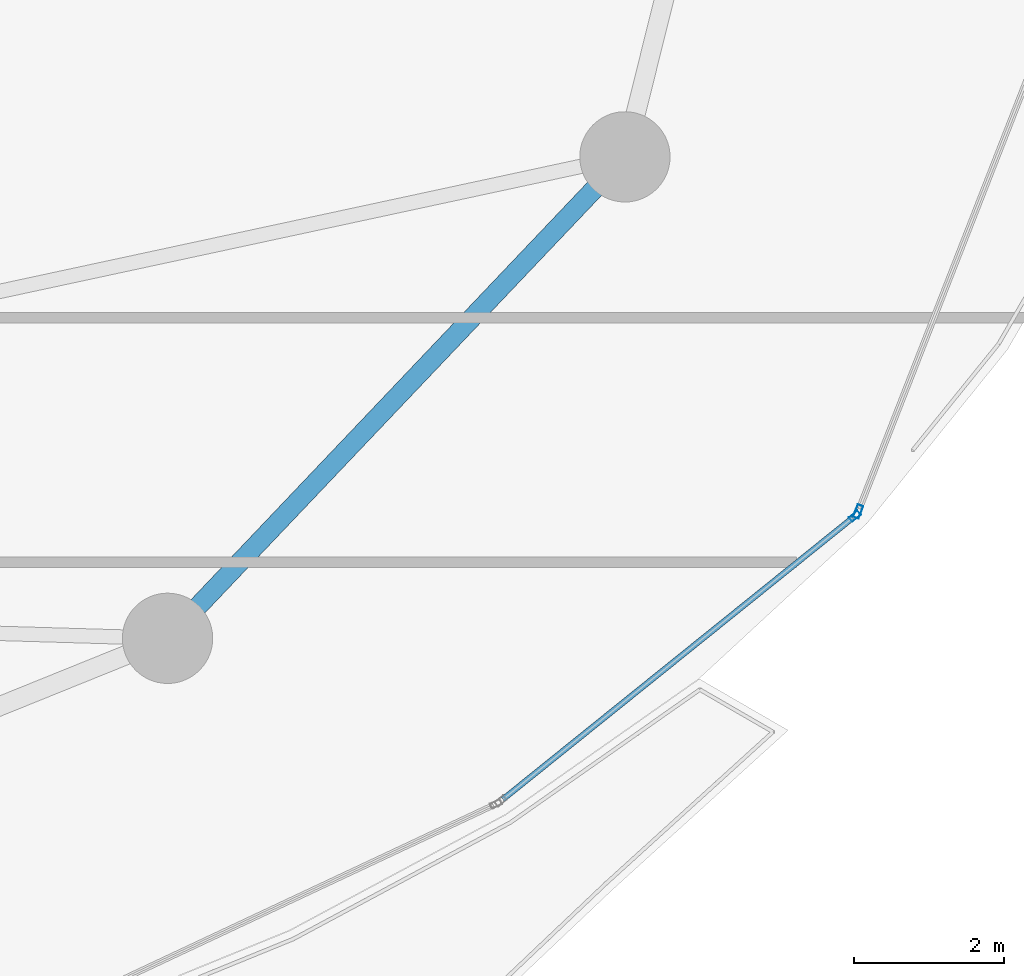
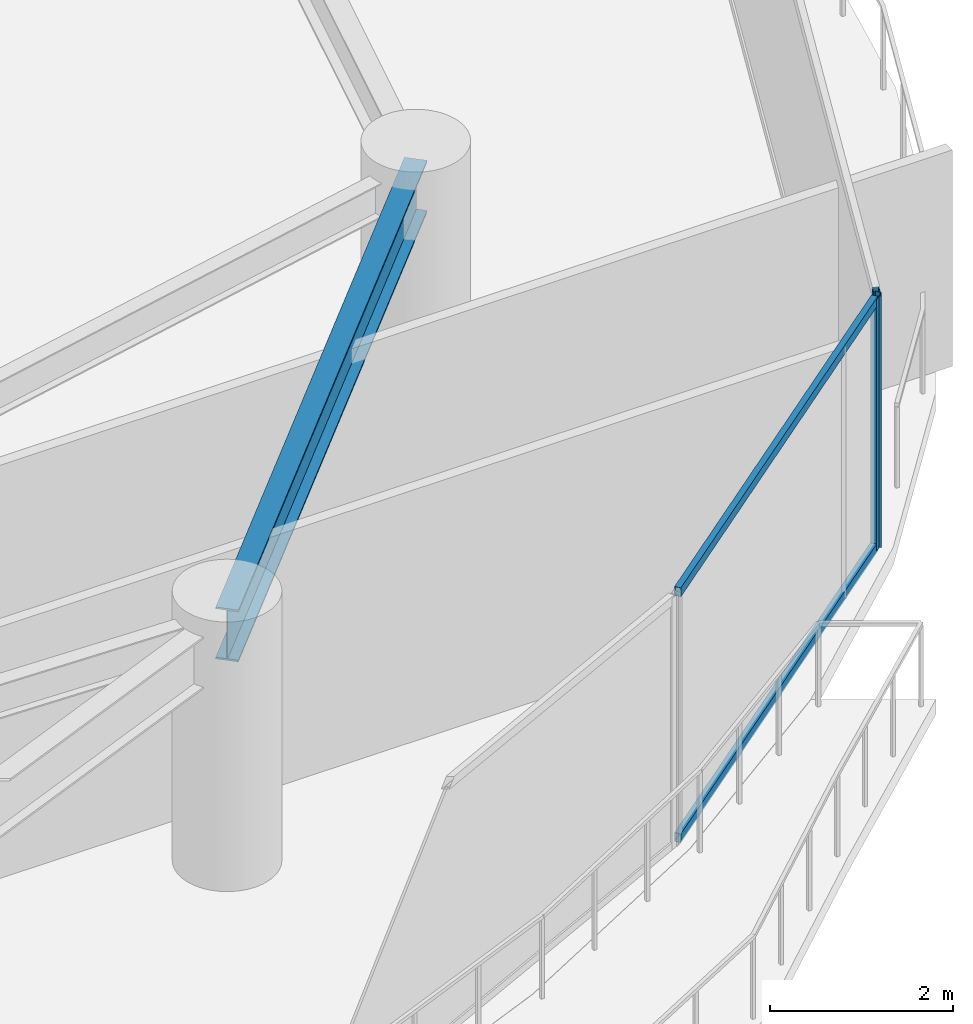
# One storey, part 15 of 34: 4 members, 1 beam, 2 elements without a shape of their own.
"""IFC4 building model written with IfcOpenShell, lengths in metres."""

from ifc_helpers import new_model, si_unit, direction, frame, origin, origin_2d, place, context, subcontext, project, spatial, hollow_rectangle, i_section, extrude, material, layer, layer_set, material_profile, profile_set, type_object, element, aggregate, save


model = new_model("IFC4")

# Units and contexts
model_context = context("Model", 3, precision=1e-05, world=origin(), true_north=direction((0.0, 1.0)))
body_context = subcontext(model_context, "Body", "Model", "MODEL_VIEW")
ifc_project = project(units=[si_unit("LENGTHUNIT", "METRE"), si_unit("AREAUNIT", "SQUARE_METRE"), si_unit("VOLUMEUNIT", "CUBIC_METRE"), si_unit("PLANEANGLEUNIT", "RADIAN"), si_unit("MASSUNIT", "GRAM", prefix="KILO")], contexts=[model_context])

# Site, building, storey
site_placement = place(None, origin())
site = spatial("IfcSite", under=ifc_project, at=site_placement, CompositionType="ELEMENT")
building_placement = place(site_placement, origin())
building = spatial("IfcBuilding", under=site, at=building_placement, Name="Kazevale Care Tower and Concert Hall", CompositionType="ELEMENT")
storey_placement = place(building_placement, frame((0.0, 0.0, 156.60009765625)))
storey = spatial("IfcBuildingStorey", under=building, at=storey_placement, Name="L41", CompositionType="ELEMENT", Elevation=156.60009765625)

# Curtain wall, member
ifc_material_1 = material(Name="Aluminium 6063-T6 and Low-E Glass", Category="aluminium")
ifc_layer_1 = layer(ifc_material_1, 0.179931640625)
ifc_layer_set_1 = layer_set([ifc_layer_1], Name="Aluminium 6063-T6 and Low-E Glass")
curtain_wall_type_1 = type_object("IfcCurtainWallType", Name="Waist & Upper Residential Curtain Wall CW-4", PredefinedType="NOTDEFINED", material=ifc_layer_set_1)
curtain_wall_1_placement = place(storey_placement, origin())
curtain_wall_1 = element("IfcCurtainWall", 1, at=curtain_wall_1_placement, inside=storey, type_object=curtain_wall_type_1, Name="cw:L41:f01", PredefinedType="NOTDEFINED")
ifc_material_2 = material(Name="Aluminium 6063-T6", Category="aluminium")
ifc_material_profile_1 = material_profile(ifc_material_2, hollow_rectangle(XDim=0.080078125, YDim=0.179931640625, WallThickness=0.0048828125, at=origin_2d()), Name="ALU80x180x5")
ifc_profile_set_1 = profile_set([ifc_material_profile_1], Name="Aluminium 6063-T6")
member_type_1 = type_object("IfcMemberType", Name="CW-4 Mullion ALU80x180x5", PredefinedType="MULLION", material=ifc_profile_set_1)
member_1_placement = place(storey_placement, frame((74.010498046875, 24.67529296875, 0.0), z_axis=(0.0, 0.0, 1.0), x_axis=(0.931351746651, -0.36412075471, 0.0)))
member_1 = element("IfcMember", 2, at=member_1_placement, type_object=member_type_1, Name="CW-4 mullion 2", PredefinedType="MULLION", context=body_context, shape_type="SweptSolid", body=[
    extrude(hollow_rectangle(XDim=0.080078125, YDim=0.179931640625, WallThickness=0.0048828125, at=origin_2d()), origin(), (0.0, 0.0, 1.0), 3.35986328125),
])
aggregate(curtain_wall_1, [member_1])

# Curtain wall, members
ifc_layer_2 = layer(ifc_material_1, 0.179931640625)
ifc_layer_set_2 = layer_set([ifc_layer_2], Name="Aluminium 6063-T6 and Low-E Glass")
curtain_wall_type_2 = type_object("IfcCurtainWallType", Name="Sheltered Concave Balcony Curtain Wall CW-5", PredefinedType="NOTDEFINED", material=ifc_layer_set_2)
curtain_wall_2_placement = place(storey_placement, origin())
curtain_wall_2 = element("IfcCurtainWall", 3, at=curtain_wall_2_placement, inside=storey, type_object=curtain_wall_type_2, Name="cw:L41:f02", PredefinedType="NOTDEFINED")
ifc_material_profile_2 = material_profile(ifc_material_2, hollow_rectangle(XDim=0.074951171875, YDim=0.14990234375, WallThickness=0.00390625, at=origin_2d()), Name="ALU75x150x4")
ifc_profile_set_2 = profile_set([ifc_material_profile_2], Name="Aluminium 6063-T6")
member_type_2 = type_object("IfcMemberType", Name="CW-5 Mullion ALU75x150x4", PredefinedType="MULLION", material=ifc_profile_set_2)
member_2_placement = place(storey_placement, frame((73.966796875, 24.614501953125, 0.0), z_axis=(0.0, 0.0, 1.0), x_axis=(0.626905357502, -0.779095419531, 0.0)))
member_2 = element("IfcMember", 4, at=member_2_placement, type_object=member_type_2, Name="CW-5 mullion 1", PredefinedType="MULLION", context=body_context, shape_type="SweptSolid", body=[
    extrude(hollow_rectangle(XDim=0.074951171875, YDim=0.14990234375, WallThickness=0.00390625, at=origin_2d()), origin(), (0.0, 0.0, 1.0), 3.35986328125),
])
ifc_material_profile_3 = material_profile(ifc_material_2, hollow_rectangle(XDim=0.074951171875, YDim=0.1201171875, WallThickness=0.00390625, at=origin_2d()), Name="ALU75x120x4")
ifc_profile_set_3 = profile_set([ifc_material_profile_3], Name="Aluminium 6063-T6")
member_type_3 = type_object("IfcMemberType", Name="CW-5 Transom ALU75x120x4", PredefinedType="USERDEFINED", material=ifc_profile_set_3)
member_3_placement = place(storey_placement, frame((73.9375, 24.591064453125, 0.037353515625), z_axis=(-0.779097461373, -0.626902819966, 0.0), x_axis=(0.626902819966, -0.779097461373, 0.0)))
member_3 = element("IfcMember", 5, at=member_3_placement, type_object=member_type_3, Name="CW-5 transom 1.1", ObjectType="TRANSOM", PredefinedType="USERDEFINED", context=body_context, shape_type="SweptSolid", body=[
    extrude(hollow_rectangle(XDim=0.074951171875, YDim=0.1201171875, WallThickness=0.00390625, at=origin_2d()), origin(), (0.0, 0.0, 1.0), 5.96728515625),
])
member_4_placement = place(storey_placement, frame((73.9375, 24.591064453125, 3.322509765625), z_axis=(-0.779097461373, -0.626902819966, 0.0), x_axis=(0.626902819966, -0.779097461373, 0.0)))
member_4 = element("IfcMember", 6, at=member_4_placement, type_object=member_type_3, Name="CW-5 transom 1.2", ObjectType="TRANSOM", PredefinedType="USERDEFINED", context=body_context, shape_type="SweptSolid", body=[
    extrude(hollow_rectangle(XDim=0.074951171875, YDim=0.1201171875, WallThickness=0.00390625, at=origin_2d()), origin(), (0.0, 0.0, 1.0), 5.96728515625),
])
aggregate(curtain_wall_2, [member_2, member_3, member_4])

# Beam
ifc_material_3 = material(Name="Steel ASTM A572 Gr 50", Category="steel")
ifc_material_profile_4 = material_profile(ifc_material_3, i_section(OverallWidth=0.256103515625, OverallDepth=0.693115234375, WebThickness=0.014404296875, FlangeThickness=0.023681640625, at=origin_2d()), Name="W690x170")
ifc_profile_set_4 = profile_set([ifc_material_profile_4], Name="Steel ASTM A572 Gr 50")
beam_type = type_object("IfcBeamType", Name="Waist Ring Beam W690x170", PredefinedType="BEAM", material=ifc_profile_set_4)
beam_placement = place(storey_placement, frame((64.830078125, 22.989990234375, 3.013427734375), z_axis=(0.688745100728, 0.725003576697, 0.0), x_axis=(-0.725003576697, 0.688745100728, 0.0)))
element("IfcBeam", 7, at=beam_placement, inside=storey, type_object=beam_type, Name="beam:L41:ring:15", PredefinedType="BEAM", context=body_context, shape_type="SweptSolid", body=[
    extrude(i_section(OverallWidth=0.256103515625, OverallDepth=0.693115234375, WebThickness=0.014404296875, FlangeThickness=0.023681640625, at=origin_2d()), origin(), (0.0, 0.0, 1.0), 8.827392578125),
])

save(model, "model.ifc")
